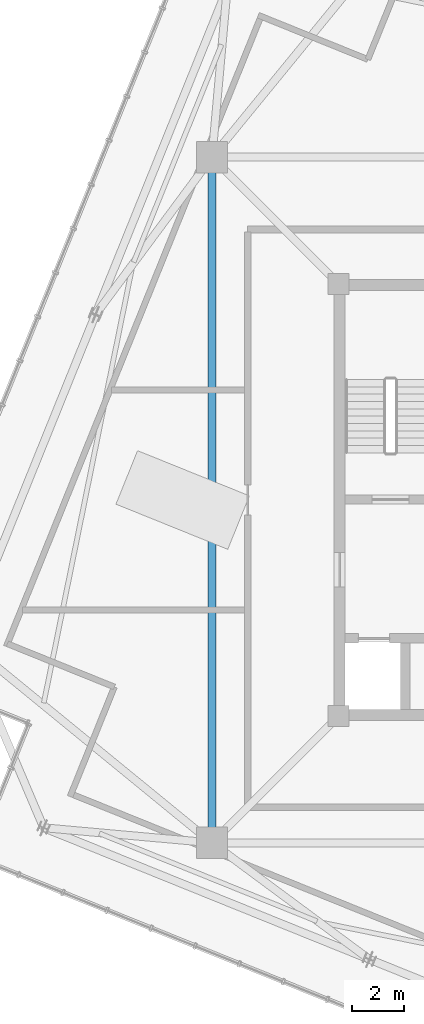
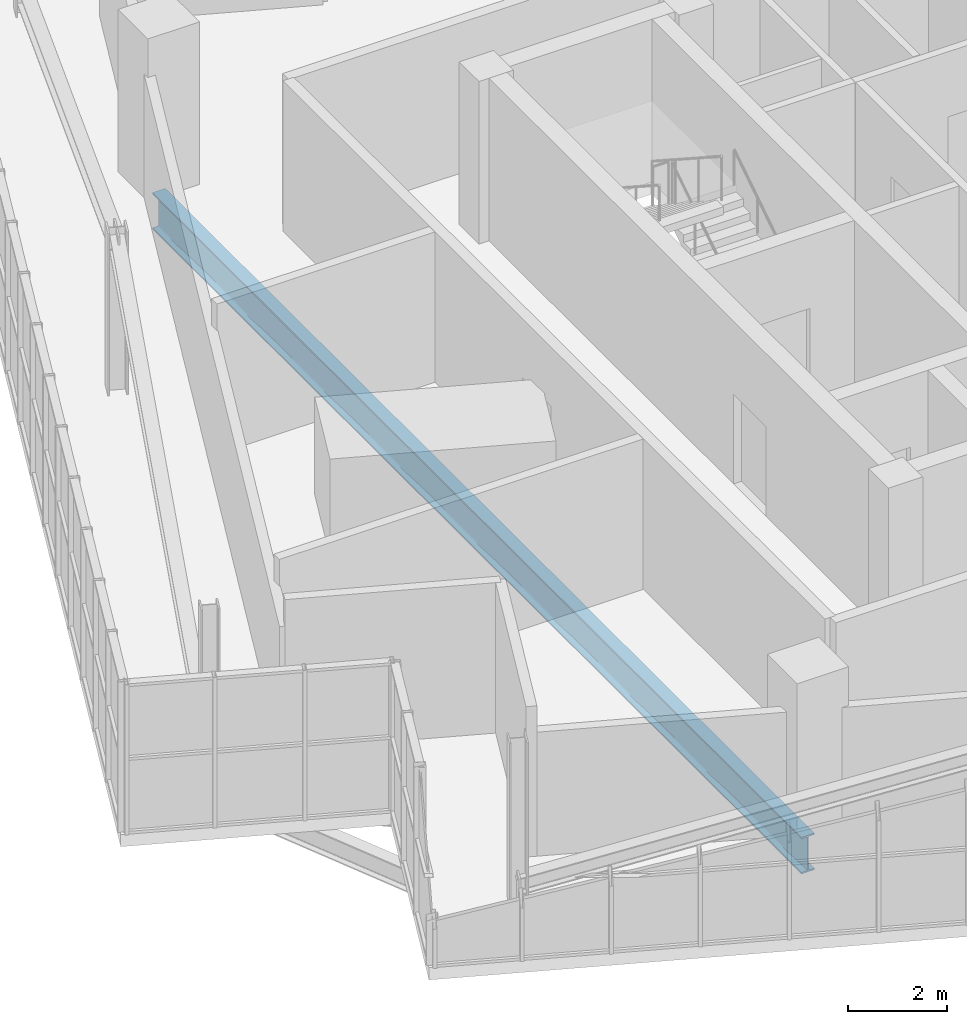
# One storey, part 7 of 26: 1 beam.
"""IFC4 building model written with IfcOpenShell, lengths in metres."""

from ifc_helpers import new_model, si_unit, direction, frame, origin, origin_2d, place, context, subcontext, project, spatial, i_section, extrude, source, transform, mapped, material, material_profile, profile_set, type_object, element, save


model = new_model("IFC4")

# Units and contexts
model_context = context("Model", 3, precision=1e-05, world=origin(), true_north=direction((0.0, 1.0)))
body_context = subcontext(model_context, "Body", "Model", "MODEL_VIEW")
ifc_project = project(units=[si_unit("LENGTHUNIT", "METRE"), si_unit("AREAUNIT", "SQUARE_METRE"), si_unit("VOLUMEUNIT", "CUBIC_METRE"), si_unit("PLANEANGLEUNIT", "RADIAN"), si_unit("MASSUNIT", "GRAM", prefix="KILO"), si_unit("THERMODYNAMICTEMPERATUREUNIT", "KELVIN")], contexts=[model_context])

# Site, building, storey
site_placement = place(None, origin())
site = spatial("IfcSite", under=ifc_project, at=site_placement, CompositionType="ELEMENT")
building_placement = place(site_placement, origin())
building = spatial("IfcBuilding", under=site, at=building_placement, Name="Kosmvard Interchange Tower", CompositionType="ELEMENT")
storey_placement = place(building_placement, frame((0.0, 0.0, 337.60009765625)))
storey = spatial("IfcBuildingStorey", under=building, at=storey_placement, Name="L83", CompositionType="ELEMENT", Elevation=337.60009765625)

# Beam
ifc_material = material(Name="Steel S355", Category="steel")
ifc_material_profile = material_profile(ifc_material, i_section(OverallWidth=0.300048828125, OverallDepth=0.89990234375, WebThickness=0.0185546875, FlangeThickness=0.034912109375, FilletRadius=0.030029296875, at=origin_2d()), Name="HEB 900")
ifc_profile_set = profile_set([ifc_material_profile], Name="Steel S355")
beam_type = type_object("IfcBeamType", Name="Mega-Column Ring Girder HEB 900 S355", PredefinedType="BEAM", material=ifc_profile_set)
shared_shape = source(origin(), body_context, "Body", "SweptSolid", [
    extrude(i_section(OverallWidth=0.300048828125, OverallDepth=0.89990234375, WebThickness=0.0185546875, FlangeThickness=0.034912109375, FilletRadius=0.030029296875, at=origin_2d()), origin(), (0.0, 0.0, 1.0), 26.162109375),
])
beam_placement = place(storey_placement, frame((-13.0810546875, 13.0810546875, -0.75), z_axis=(0.0, -1.0, 0.0), x_axis=(1.0, 0.0, 0.0)))
element("IfcBeam", 1, at=beam_placement, inside=storey, type_object=beam_type, Name="L83 Mega-Column Ring Girder 4", PredefinedType="BEAM", context=body_context, shape_type="MappedRepresentation", body=[
    mapped(shared_shape, transform((0.0, 0.0, 0.0), scale=1.0)),
])

save(model, "model.ifc")
